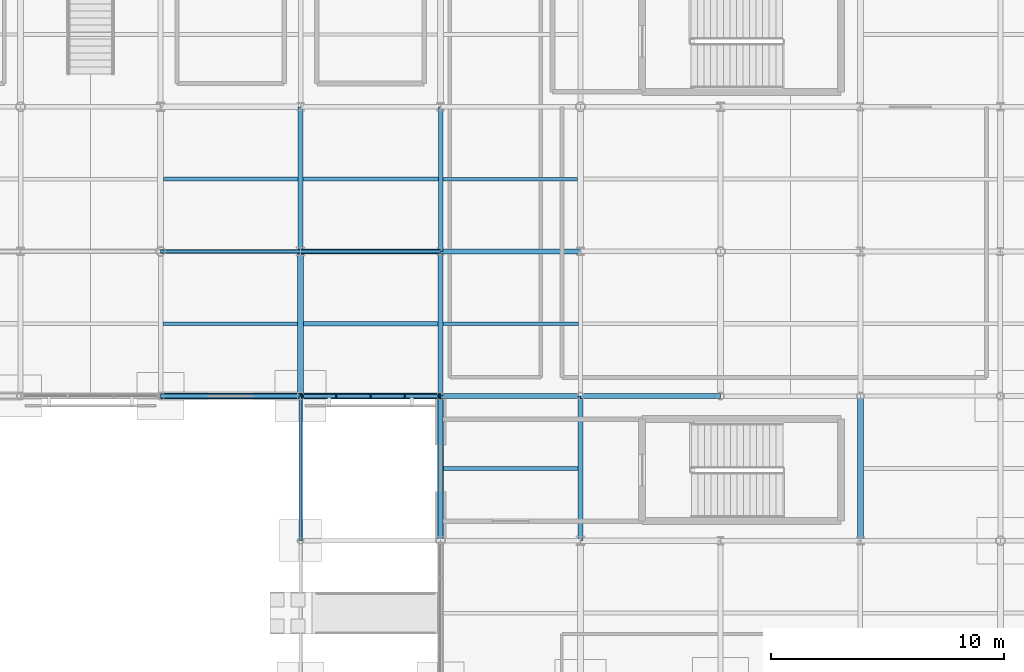
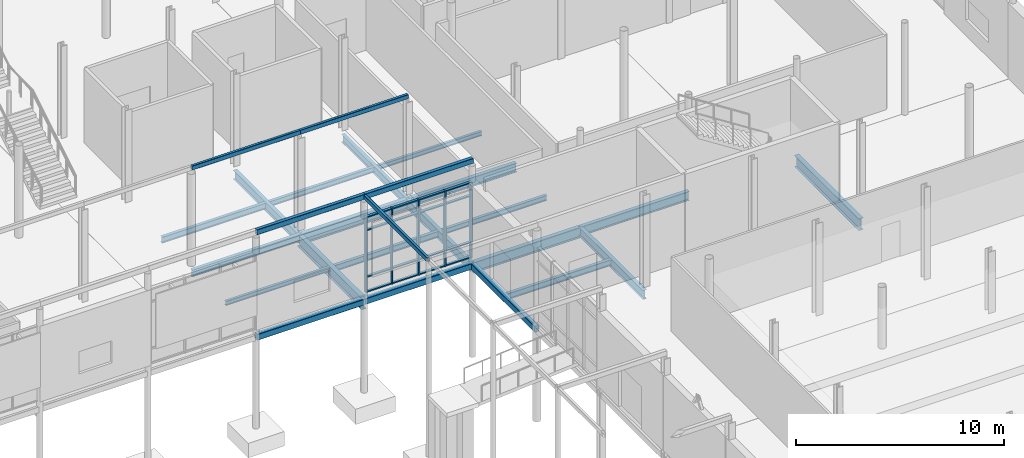
# One storey, part 51 of 98: 26 beams, 21 members, 1 element without a shape of its own.
"""IFC4 building model written with IfcOpenShell, lengths in metres."""

import ifcopenshell
import ifcopenshell.guid

model = None  # the IFC model being written
_history = None  # IfcOwnerHistory: only IFC2X3 demands one
_inside = {}  # id of a spatial element -> (the spatial element, [elements in it])
_under = {}  # id of a project, library or spatial element -> (it, [spatial elements below it])
_declared = {}  # id of a project -> (the project, [libraries it declares])
_typed = {}  # id of a type object -> (the type object, [elements of that type])
_made_of = {}  # id of a material, layer set ... -> (it, [elements and type objects made of it])


def new_model(schema):
    """Start an empty IFC model of exactly this schema.

    Asked for "IFC4X3", IfcOpenShell would pick the latest addendum, in which some entities
    have other attributes; the version numbers below select the first issue.
    IFC2X3 requires an IfcOwnerHistory on every rooted entity: one is made here for all.
    """
    global model, _history
    if schema == "IFC4X3":
        model = ifcopenshell.file(schema_version=(4, 3, 0, 0))
    else:
        model = ifcopenshell.file(schema=schema)
    _inside.clear()
    _under.clear()
    _declared.clear()
    _typed.clear()
    _made_of.clear()
    _history = None
    if model.schema == "IFC2X3":
        org = make("IfcOrganization", Name="unknown")
        user = make(
            "IfcPersonAndOrganization",
            ThePerson=make("IfcPerson", FamilyName="unknown"),
            TheOrganization=org,
        )
        app = make(
            "IfcApplication",
            ApplicationDeveloper=org,
            Version="unknown",
            ApplicationFullName="unknown",
            ApplicationIdentifier="unknown",
        )
        _history = make(
            "IfcOwnerHistory",
            OwningUser=user,
            OwningApplication=app,
            ChangeAction="ADDED",
            CreationDate=0,
        )
    return model


def make(cls, **values):
    """One entity of the class cls with the attributes given. An attribute that is None is left unset."""
    return model.create_entity(
        cls, **{name: value for name, value in values.items() if value is not None}
    )


def rooted(cls, **values):
    """An entity with a GlobalId (a new one), such as an element, a storey or a relation."""
    return make(cls, GlobalId=ifcopenshell.guid.new(), OwnerHistory=_history, **values)


def si_unit(unit_type, name, prefix=None):
    """IfcSIUnit, for example si_unit("LENGTHUNIT", "METRE", prefix="MILLI")."""
    return make("IfcSIUnit", UnitType=unit_type, Prefix=prefix, Name=name)


def assignment(units):
    """IfcUnitAssignment: the units of a project."""
    return None if units is None else make("IfcUnitAssignment", Units=units)


def point(xyz):
    """IfcCartesianPoint."""
    return None if xyz is None else make("IfcCartesianPoint", Coordinates=xyz)


def direction(xyz):
    """IfcDirection."""
    return None if xyz is None else make("IfcDirection", DirectionRatios=xyz)


def frame(location, z_axis=None, x_axis=None):
    """IfcAxis2Placement3D, a coordinate frame: its origin and axes. An axis left out is left unset."""
    return make(
        "IfcAxis2Placement3D",
        Location=point(location),
        Axis=direction(z_axis),
        RefDirection=direction(x_axis),
    )


def frame_2d(location, x_axis=None):
    """IfcAxis2Placement2D, a coordinate frame in the plane: its origin and x axis."""
    return make(
        "IfcAxis2Placement2D", Location=point(location), RefDirection=direction(x_axis)
    )


def origin():
    """The frame at (0, 0, 0) with its axes left unset."""
    return frame((0.0, 0.0, 0.0))


def origin_2d():
    """The frame at (0, 0) in the plane with its x axis left unset."""
    return frame_2d((0.0, 0.0))


def place(relative_to, where):
    """IfcLocalPlacement: puts the frame where relative to a parent placement (None: the world)."""
    return make(
        "IfcLocalPlacement", PlacementRelTo=relative_to, RelativePlacement=where
    )


def context(
    kind, dimensions, precision=None, world=None, true_north=None, identifier=None
):
    """IfcGeometricRepresentationContext, for example the 3D "Model" context."""
    return make(
        "IfcGeometricRepresentationContext",
        ContextIdentifier=identifier,
        ContextType=kind,
        CoordinateSpaceDimension=dimensions,
        Precision=precision,
        WorldCoordinateSystem=world,
        TrueNorth=true_north,
    )


def subcontext(parent, identifier, kind, view, scale=None):
    """IfcGeometricRepresentationSubContext, for example "Body" below "Model"."""
    return make(
        "IfcGeometricRepresentationSubContext",
        ContextIdentifier=identifier,
        ContextType=kind,
        ParentContext=parent,
        TargetScale=scale,
        TargetView=view,
    )


def project(units=None, contexts=None):
    """IfcProject with its units and contexts."""
    return rooted(
        "IfcProject",
        Name="project",
        RepresentationContexts=contexts,
        UnitsInContext=assignment(units),
    )


def spatial(cls, under=None, at=None, **own):
    """A site, building, storey or space (cls), placed at a placement, below another one or the project."""
    s = rooted(cls, ObjectPlacement=at, **own)
    if under is not None:
        _under.setdefault(under.id(), (under, []))[1].append(s)
    return s


def profile(cls, at=None, kind="AREA", **sizes):
    """A parametric profile (cls). Its sizes go by their IFC names, for example OverallWidth=200.0."""
    return make(cls, ProfileType=kind, Position=at, **sizes)


def rectangle(**sizes):
    """IfcRectangleProfileDef."""
    return profile("IfcRectangleProfileDef", **sizes)


def hollow_rectangle(**sizes):
    """IfcRectangleHollowProfileDef."""
    return profile("IfcRectangleHollowProfileDef", **sizes)


def i_section(**sizes):
    """IfcIShapeProfileDef."""
    return profile("IfcIShapeProfileDef", **sizes)


def extrude(swept, where, along, depth):
    """IfcExtrudedAreaSolid: the profile swept, set in the frame where, extruded along a direction by depth."""
    return make(
        "IfcExtrudedAreaSolid",
        SweptArea=swept,
        Position=where,
        ExtrudedDirection=direction(along),
        Depth=depth,
    )


def shape(context_of_items, identifier, shape_type, items):
    """IfcShapeRepresentation: the items that make up one representation, for example the "Body"."""
    return make(
        "IfcShapeRepresentation",
        ContextOfItems=context_of_items,
        RepresentationIdentifier=identifier,
        RepresentationType=shape_type,
        Items=items,
    )


def material(Name=None, Category=None):
    """IfcMaterial."""
    return make("IfcMaterial", Name=Name, Category=Category)


def layer(
    of_material, thickness, ventilated=None, Name=None, Category=None, Priority=None
):
    """IfcMaterialLayer: one layer of a wall or slab, of a material (None: an air gap)."""
    return make(
        "IfcMaterialLayer",
        Material=of_material,
        LayerThickness=thickness,
        IsVentilated=ventilated,
        Name=Name,
        Category=Category,
        Priority=Priority,
    )


def layer_set(layers, Name=None):
    """IfcMaterialLayerSet."""
    return make("IfcMaterialLayerSet", MaterialLayers=layers, LayerSetName=Name)


def material_profile(
    of_material, cross_section, Name=None, Category=None, Priority=None
):
    """IfcMaterialProfile: a cross section and its material."""
    return make(
        "IfcMaterialProfile",
        Name=Name,
        Material=of_material,
        Profile=cross_section,
        Priority=Priority,
        Category=Category,
    )


def profile_set(profiles, Name=None, composite=None):
    """IfcMaterialProfileSet."""
    return make(
        "IfcMaterialProfileSet",
        Name=Name,
        MaterialProfiles=profiles,
        CompositeProfile=composite,
    )


def made_of(thing, what):
    """Note that an element or type object is made of a material, layer set ...; save() writes the relation."""
    if what is not None:
        _made_of.setdefault(what.id(), (what, []))[1].append(thing)
    return thing


def type_object(cls, material=None, **own):
    """A type object (cls), such as IfcWallType, which elements share."""
    return made_of(rooted(cls, **own), material)


def element(
    cls,
    number,
    at=None,
    inside=None,
    cuts=None,
    type_object=None,
    material=None,
    context=None,
    identifier="Body",
    shape_type=None,
    held_by="IfcProductDefinitionShape",
    body=None,
    shapes=None,
    **own,
):
    """One element of the class cls, such as IfcWall. Its Tag is "e" and its number.

    at: its placement. inside: the storey or other place that contains it. cuts: it is an
    opening in that element (IfcRelVoidsElement). A single representation is given by context,
    identifier, shape_type and body (its items); several are given by shapes. held_by: the class
    of the entity that holds the representations. save() writes the other relations.
    """
    e = rooted(cls, Tag="e%d" % number, ObjectPlacement=at, **own)
    if body is not None:
        shapes = [shape(context, identifier, shape_type, body)]
    if shapes is not None:
        e.Representation = make(held_by, Representations=shapes)
    if inside is not None:
        _inside.setdefault(inside.id(), (inside, []))[1].append(e)
    if cuts is not None:
        rooted(
            "IfcRelVoidsElement", RelatingBuildingElement=cuts, RelatedOpeningElement=e
        )
    if type_object is not None:
        _typed.setdefault(type_object.id(), (type_object, []))[1].append(e)
    return made_of(e, material)


def aggregate(whole, parts):
    """IfcRelAggregates: a whole, such as a stair, and the parts it consists of."""
    return rooted("IfcRelAggregates", RelatingObject=whole, RelatedObjects=parts)


def save(model, path):
    """Write the relations noted so far, then the file.

    IfcRelAggregates (storeys below a building ...), IfcRelContainedInSpatialStructure (elements
    in a storey), IfcRelDefinesByType, IfcRelAssociatesMaterial and IfcRelDeclares: one each for
    every whole, place, type object, material and project.
    """
    for whole, parts in _under.values():
        aggregate(whole, parts)
    for where, things in _inside.values():
        rooted(
            "IfcRelContainedInSpatialStructure",
            RelatedElements=things,
            RelatingStructure=where,
        )
    for kind, things in _typed.values():
        rooted("IfcRelDefinesByType", RelatedObjects=things, RelatingType=kind)
    for what, things in _made_of.values():
        rooted("IfcRelAssociatesMaterial", RelatedObjects=things, RelatingMaterial=what)
    for by, libraries in _declared.values():
        rooted("IfcRelDeclares", RelatingContext=by, RelatedDefinitions=libraries)
    model.write(path)


model = new_model("IFC4")

# Units and contexts
model_context = context("Model", 3, precision=1e-05, world=origin(), true_north=direction((0.0, 1.0)))
body_context = subcontext(model_context, "Body", "Model", "MODEL_VIEW")
ifc_project = project(units=[si_unit("LENGTHUNIT", "METRE"), si_unit("AREAUNIT", "SQUARE_METRE"), si_unit("VOLUMEUNIT", "CUBIC_METRE"), si_unit("PLANEANGLEUNIT", "RADIAN"), si_unit("MASSUNIT", "GRAM", prefix="KILO")], contexts=[model_context])

# Site, building, storey
site_placement = place(None, origin())
site = spatial("IfcSite", under=ifc_project, at=site_placement, CompositionType="ELEMENT")
building_placement = place(site_placement, origin())
building = spatial("IfcBuilding", under=site, at=building_placement, Name="Mirzam Square Science Centre", CompositionType="ELEMENT")
storey_placement = place(building_placement, origin())
storey = spatial("IfcBuildingStorey", under=building, at=storey_placement, Name="L00", CompositionType="ELEMENT", Elevation=0.0)

# Beams
ifc_material_1 = material(Name="Steel S355", Category="steel")
ifc_material_profile_1 = material_profile(ifc_material_1, i_section(OverallWidth=0.1787109375, OverallDepth=0.409423828125, WebThickness=0.0087890625, FlangeThickness=0.014404296875, FilletRadius=0.01025390625, at=origin_2d()), Name="406x178x67UB")
ifc_profile_set_1 = profile_set([ifc_material_profile_1], Name="Steel S355")
beam_type_1 = type_object("IfcBeamType", Name="BM-UB406", PredefinedType="BEAM", material=ifc_profile_set_1)
beam_1_placement = place(storey_placement, frame((120.0, 43.39990234375, -0.504638671875), z_axis=(1.0, 0.0, 0.0), x_axis=(0.0, 1.0, 0.0)))
element("IfcBeam", 1, at=beam_1_placement, inside=storey, type_object=beam_type_1, Name="L00 girder X21-8", PredefinedType="BEAM", context=body_context, shape_type="SweptSolid", body=[
    extrude(i_section(OverallWidth=0.1787109375, OverallDepth=0.409423828125, WebThickness=0.0087890625, FlangeThickness=0.014404296875, FilletRadius=0.01025390625, at=origin_2d()), origin(), (0.0, 0.0, 1.0), 6.0),
])
ifc_material_profile_2 = material_profile(ifc_material_1, i_section(OverallWidth=0.19140625, OverallDepth=0.4599609375, WebThickness=0.010009765625, FlangeThickness=0.01611328125, FilletRadius=0.01025390625, at=origin_2d()), Name="457x191x82UB")
ifc_profile_set_2 = profile_set([ifc_material_profile_2], Name="Steel S355")
beam_type_2 = type_object("IfcBeamType", Name="BM-UB457", PredefinedType="BEAM", material=ifc_profile_set_2)
beam_2_placement = place(storey_placement, frame((132.0, 43.39990234375, -0.530029296875), z_axis=(0.0, 1.0, 0.0), x_axis=(-1.0, 0.0, 0.0)))
element("IfcBeam", 2, at=beam_2_placement, inside=storey, type_object=beam_type_2, Name="L00 girder Y23-8", PredefinedType="BEAM", context=body_context, shape_type="SweptSolid", body=[
    extrude(i_section(OverallWidth=0.19140625, OverallDepth=0.4599609375, WebThickness=0.010009765625, FlangeThickness=0.01611328125, FilletRadius=0.01025390625, at=origin_2d()), origin(), (0.0, 0.0, 1.0), 6.2001953125),
])
ifc_material_profile_3 = material_profile(ifc_material_1, i_section(OverallWidth=0.2099609375, OverallDepth=0.53662109375, WebThickness=0.0107421875, FlangeThickness=0.017333984375, FilletRadius=0.0126953125, at=origin_2d()), Name="533x210x101UB")
ifc_profile_set_3 = profile_set([ifc_material_profile_3], Name="Steel S355")
beam_type_3 = type_object("IfcBeamType", Name="BM-UB533", PredefinedType="BEAM", material=ifc_profile_set_3)
for number, where, z_axis, x_axis, name in (
    (3, (138.0, 37.199951171875, -0.568359375), (1.0, 0.0, 0.0), (0.0, 1.0, 0.0), "L00 girder X24-7"),
    (4, (132.0, 43.39990234375, -0.568359375), (1.0, 0.0, 0.0), (0.0, 1.0, 0.0), "L00 girder X23-8"),
):
    element("IfcBeam", number, at=place(storey_placement, frame(where, z_axis=z_axis, x_axis=x_axis)), inside=storey, type_object=beam_type_3, Name=name, PredefinedType="BEAM", context=body_context, shape_type="SweptSolid", body=[
        extrude(i_section(OverallWidth=0.2099609375, OverallDepth=0.53662109375, WebThickness=0.0107421875, FlangeThickness=0.017333984375, FilletRadius=0.0126953125, at=origin_2d()), origin(), (0.0, 0.0, 1.0), 6.0),
    ])
beam_3_placement = place(storey_placement, frame((126.0, 43.39990234375, -0.568359375), z_axis=(0.0, 1.0, 0.0), x_axis=(-1.0, 0.0, 0.0)))
element("IfcBeam", 5, at=beam_3_placement, inside=storey, type_object=beam_type_3, Name="L00 girder Y22-8", PredefinedType="BEAM", context=body_context, shape_type="SweptSolid", body=[
    extrude(i_section(OverallWidth=0.2099609375, OverallDepth=0.53662109375, WebThickness=0.0107421875, FlangeThickness=0.017333984375, FilletRadius=0.0126953125, at=origin_2d()), origin(), (0.0, 0.0, 1.0), 6.2001953125),
])
for number, where, z_axis, x_axis, name in (
    (6, (132.0, 37.199951171875, -0.568359375), (0.0, 1.0, 0.0), (-1.0, 0.0, 0.0), "L00 girder Y23-7"),
    (7, (138.0, 31.0, -0.568359375), (0.0, 1.0, 0.0), (-1.0, 0.0, 0.0), "L00 girder Y24-6"),
):
    element("IfcBeam", number, at=place(storey_placement, frame(where, z_axis=z_axis, x_axis=x_axis)), inside=storey, type_object=beam_type_3, Name=name, PredefinedType="BEAM", context=body_context, shape_type="SweptSolid", body=[
        extrude(i_section(OverallWidth=0.2099609375, OverallDepth=0.53662109375, WebThickness=0.0107421875, FlangeThickness=0.017333984375, FilletRadius=0.0126953125, at=origin_2d()), origin(), (0.0, 0.0, 1.0), 6.199951171875),
    ])
ifc_material_profile_4 = material_profile(ifc_material_1, i_section(OverallWidth=0.22900390625, OverallDepth=0.6123046875, WebThickness=0.011962890625, FlangeThickness=0.01953125, FilletRadius=0.0126953125, at=origin_2d()), Name="610x229x125UB")
ifc_profile_set_4 = profile_set([ifc_material_profile_4], Name="Steel S355")
beam_type_4 = type_object("IfcBeamType", Name="BM-UB610", PredefinedType="BEAM", material=ifc_profile_set_4)
for number, where, z_axis, x_axis, name in (
    (8, (132.0, 37.199951171875, -0.606201171875), (1.0, 0.0, 0.0), (0.0, 1.0, 0.0), "L00 girder X23-7"),
    (9, (126.0, 43.39990234375, -0.606201171875), (1.0, 0.0, 0.0), (0.0, 1.0, 0.0), "L00 girder X22-8"),
):
    element("IfcBeam", number, at=place(storey_placement, frame(where, z_axis=z_axis, x_axis=x_axis)), inside=storey, type_object=beam_type_4, Name=name, PredefinedType="BEAM", context=body_context, shape_type="SweptSolid", body=[
        extrude(i_section(OverallWidth=0.22900390625, OverallDepth=0.6123046875, WebThickness=0.011962890625, FlangeThickness=0.01953125, FilletRadius=0.0126953125, at=origin_2d()), origin(), (0.0, 0.0, 1.0), 6.0),
    ])
ifc_material_profile_5 = material_profile(ifc_material_1, i_section(OverallWidth=0.25439453125, OverallDepth=0.6875, WebThickness=0.01318359375, FlangeThickness=0.02099609375, FilletRadius=0.01513671875, at=origin_2d()), Name="686x254x152UB")
ifc_profile_set_5 = profile_set([ifc_material_profile_5], Name="Steel S355")
beam_type_5 = type_object("IfcBeamType", Name="BM-UB686", PredefinedType="BEAM", material=ifc_profile_set_5)
for number, where, z_axis, x_axis, name in (
    (10, (126.0, 37.199951171875, -0.643798828125), (0.0, 1.0, 0.0), (-1.0, 0.0, 0.0), "L00 girder Y22-7"),
    (11, (150.0, 31.0, -0.643798828125), (0.0, 1.0, 0.0), (-1.0, 0.0, 0.0), "L00 girder Y26-6"),
):
    element("IfcBeam", number, at=place(storey_placement, frame(where, z_axis=z_axis, x_axis=x_axis)), inside=storey, type_object=beam_type_5, Name=name, PredefinedType="BEAM", context=body_context, shape_type="SweptSolid", body=[
        extrude(i_section(OverallWidth=0.25439453125, OverallDepth=0.6875, WebThickness=0.01318359375, FlangeThickness=0.02099609375, FilletRadius=0.01513671875, at=origin_2d()), origin(), (0.0, 0.0, 1.0), 6.199951171875),
    ])

# Curtain wall, members
ifc_material_2 = material(Name="Anodised Aluminium and Low-E Solar Glass", Category="aluminium")
ifc_layer = layer(ifc_material_2, 0.179931640625)
ifc_layer_set = layer_set([ifc_layer], Name="CW-LINK-A")
curtain_wall_type = type_object("IfcCurtainWallType", Name="CW-LINK-A", PredefinedType="USERDEFINED", material=ifc_layer_set)
curtain_wall_placement = place(storey_placement, origin())
curtain_wall = element("IfcCurtainWall", 12, at=curtain_wall_placement, inside=storey, type_object=curtain_wall_type, Name="L00 unitised curtain wall 66", ObjectType="UNITISED CURTAIN WALL", PredefinedType="USERDEFINED")
ifc_material_3 = material(Name="Anodised Architectural Aluminium 6063-T6", Category="aluminium")
ifc_material_profile_6 = material_profile(ifc_material_3, rectangle(XDim=0.06494140625, YDim=0.199951171875, at=origin_2d()), Name="ALU-MULL-200x65x5")
ifc_profile_set_6 = profile_set([ifc_material_profile_6], Name="Anodised Architectural Aluminium 6063-T6")
member_type_1 = type_object("IfcMemberType", Name="CWM-200", PredefinedType="MULLION", material=ifc_profile_set_6)
member_1_placement = place(storey_placement, frame((126.08740234375, 37.199951171875, 0.0), z_axis=(0.0, 0.0, 1.0), x_axis=(1.0, 0.0, 0.0)))
member_1 = element("IfcMember", 13, at=member_1_placement, type_object=member_type_1, Name="CW-08 mullion 1", PredefinedType="MULLION", context=body_context, shape_type="SweptSolid", body=[
    extrude(rectangle(XDim=0.06494140625, YDim=0.199951171875, at=origin_2d()), origin(), (0.0, 0.0, 1.0), 4.43994140625),
])
member_2_placement = place(storey_placement, frame((127.527587890625, 37.199951171875, 0.0), z_axis=(0.0, 0.0, 1.0), x_axis=(1.0, 0.0, 0.0)))
member_2 = element("IfcMember", 14, at=member_2_placement, type_object=member_type_1, Name="CW-08 mullion 2", PredefinedType="MULLION", context=body_context, shape_type="SweptSolid", body=[
    extrude(rectangle(XDim=0.06494140625, YDim=0.199951171875, at=origin_2d()), origin(), (0.0, 0.0, 1.0), 4.43994140625),
])
member_3_placement = place(storey_placement, frame((129.0, 37.199951171875, 0.0), z_axis=(0.0, 0.0, 1.0), x_axis=(1.0, 0.0, 0.0)))
member_3 = element("IfcMember", 15, at=member_3_placement, type_object=member_type_1, Name="CW-08 mullion 3", PredefinedType="MULLION", context=body_context, shape_type="SweptSolid", body=[
    extrude(rectangle(XDim=0.06494140625, YDim=0.199951171875, at=origin_2d()), origin(), (0.0, 0.0, 1.0), 4.43994140625),
])
member_4_placement = place(storey_placement, frame((130.472412109375, 37.199951171875, 0.0), z_axis=(0.0, 0.0, 1.0), x_axis=(1.0, 0.0, 0.0)))
member_4 = element("IfcMember", 16, at=member_4_placement, type_object=member_type_1, Name="CW-08 mullion 4", PredefinedType="MULLION", context=body_context, shape_type="SweptSolid", body=[
    extrude(rectangle(XDim=0.06494140625, YDim=0.199951171875, at=origin_2d()), origin(), (0.0, 0.0, 1.0), 4.43994140625),
])
member_5_placement = place(storey_placement, frame((131.91259765625, 37.199951171875, 0.0), z_axis=(0.0, 0.0, 1.0), x_axis=(1.0, 0.0, 0.0)))
member_5 = element("IfcMember", 17, at=member_5_placement, type_object=member_type_1, Name="CW-08 mullion 5", PredefinedType="MULLION", context=body_context, shape_type="SweptSolid", body=[
    extrude(rectangle(XDim=0.06494140625, YDim=0.199951171875, at=origin_2d()), origin(), (0.0, 0.0, 1.0), 4.43994140625),
])
ifc_material_profile_7 = material_profile(ifc_material_3, rectangle(XDim=0.14990234375, YDim=0.06494140625, at=origin_2d()), Name="ALU-TRAN-150x65x4")
ifc_profile_set_7 = profile_set([ifc_material_profile_7], Name="Anodised Architectural Aluminium 6063-T6")
member_type_2 = type_object("IfcMemberType", Name="CWT-150", PredefinedType="USERDEFINED", material=ifc_profile_set_7)
member_6_placement = place(storey_placement, frame((126.1201171875, 37.199951171875, 0.032470703125), z_axis=(1.0, 0.0, 0.0), x_axis=(0.0, 1.0, 0.0)))
member_6 = element("IfcMember", 18, at=member_6_placement, type_object=member_type_2, Name="CW-08 transom 1.1", ObjectType="TRANSOM", PredefinedType="USERDEFINED", context=body_context, shape_type="SweptSolid", body=[
    extrude(rectangle(XDim=0.14990234375, YDim=0.06494140625, at=origin_2d()), origin(), (0.0, 0.0, 1.0), 1.375),
])
member_7_placement = place(storey_placement, frame((126.1201171875, 37.199951171875, 0.89990234375), z_axis=(1.0, 0.0, 0.0), x_axis=(0.0, 1.0, 0.0)))
member_7 = element("IfcMember", 19, at=member_7_placement, type_object=member_type_2, Name="CW-08 transom 1.2", ObjectType="TRANSOM", PredefinedType="USERDEFINED", context=body_context, shape_type="SweptSolid", body=[
    extrude(rectangle(XDim=0.14990234375, YDim=0.06494140625, at=origin_2d()), origin(), (0.0, 0.0, 1.0), 1.375),
])
member_8_placement = place(storey_placement, frame((126.1201171875, 37.199951171875, 3.639892578125), z_axis=(1.0, 0.0, 0.0), x_axis=(0.0, 1.0, 0.0)))
member_8 = element("IfcMember", 20, at=member_8_placement, type_object=member_type_2, Name="CW-08 transom 1.3", ObjectType="TRANSOM", PredefinedType="USERDEFINED", context=body_context, shape_type="SweptSolid", body=[
    extrude(rectangle(XDim=0.14990234375, YDim=0.06494140625, at=origin_2d()), origin(), (0.0, 0.0, 1.0), 1.375),
])
member_9_placement = place(storey_placement, frame((126.1201171875, 37.199951171875, 4.407470703125), z_axis=(1.0, 0.0, 0.0), x_axis=(0.0, 1.0, 0.0)))
member_9 = element("IfcMember", 21, at=member_9_placement, type_object=member_type_2, Name="CW-08 transom 1.4", ObjectType="TRANSOM", PredefinedType="USERDEFINED", context=body_context, shape_type="SweptSolid", body=[
    extrude(rectangle(XDim=0.14990234375, YDim=0.06494140625, at=origin_2d()), origin(), (0.0, 0.0, 1.0), 1.375),
])
member_10_placement = place(storey_placement, frame((127.56005859375, 37.199951171875, 0.032470703125), z_axis=(1.0, 0.0, 0.0), x_axis=(0.0, 1.0, 0.0)))
member_10 = element("IfcMember", 22, at=member_10_placement, type_object=member_type_2, Name="CW-08 transom 2.1", ObjectType="TRANSOM", PredefinedType="USERDEFINED", context=body_context, shape_type="SweptSolid", body=[
    extrude(rectangle(XDim=0.14990234375, YDim=0.06494140625, at=origin_2d()), origin(), (0.0, 0.0, 1.0), 1.407470703125),
])
member_11_placement = place(storey_placement, frame((127.56005859375, 37.199951171875, 0.89990234375), z_axis=(1.0, 0.0, 0.0), x_axis=(0.0, 1.0, 0.0)))
member_11 = element("IfcMember", 23, at=member_11_placement, type_object=member_type_2, Name="CW-08 transom 2.2", ObjectType="TRANSOM", PredefinedType="USERDEFINED", context=body_context, shape_type="SweptSolid", body=[
    extrude(rectangle(XDim=0.14990234375, YDim=0.06494140625, at=origin_2d()), origin(), (0.0, 0.0, 1.0), 1.407470703125),
])
member_12_placement = place(storey_placement, frame((127.56005859375, 37.199951171875, 3.639892578125), z_axis=(1.0, 0.0, 0.0), x_axis=(0.0, 1.0, 0.0)))
member_12 = element("IfcMember", 24, at=member_12_placement, type_object=member_type_2, Name="CW-08 transom 2.3", ObjectType="TRANSOM", PredefinedType="USERDEFINED", context=body_context, shape_type="SweptSolid", body=[
    extrude(rectangle(XDim=0.14990234375, YDim=0.06494140625, at=origin_2d()), origin(), (0.0, 0.0, 1.0), 1.407470703125),
])
member_13_placement = place(storey_placement, frame((127.56005859375, 37.199951171875, 4.407470703125), z_axis=(1.0, 0.0, 0.0), x_axis=(0.0, 1.0, 0.0)))
member_13 = element("IfcMember", 25, at=member_13_placement, type_object=member_type_2, Name="CW-08 transom 2.4", ObjectType="TRANSOM", PredefinedType="USERDEFINED", context=body_context, shape_type="SweptSolid", body=[
    extrude(rectangle(XDim=0.14990234375, YDim=0.06494140625, at=origin_2d()), origin(), (0.0, 0.0, 1.0), 1.407470703125),
])
member_14_placement = place(storey_placement, frame((129.032470703125, 37.199951171875, 0.032470703125), z_axis=(1.0, 0.0, 0.0), x_axis=(0.0, 1.0, 0.0)))
member_14 = element("IfcMember", 26, at=member_14_placement, type_object=member_type_2, Name="CW-08 transom 3.1", ObjectType="TRANSOM", PredefinedType="USERDEFINED", context=body_context, shape_type="SweptSolid", body=[
    extrude(rectangle(XDim=0.14990234375, YDim=0.06494140625, at=origin_2d()), origin(), (0.0, 0.0, 1.0), 1.407470703125),
])
member_15_placement = place(storey_placement, frame((129.032470703125, 37.199951171875, 0.89990234375), z_axis=(1.0, 0.0, 0.0), x_axis=(0.0, 1.0, 0.0)))
member_15 = element("IfcMember", 27, at=member_15_placement, type_object=member_type_2, Name="CW-08 transom 3.2", ObjectType="TRANSOM", PredefinedType="USERDEFINED", context=body_context, shape_type="SweptSolid", body=[
    extrude(rectangle(XDim=0.14990234375, YDim=0.06494140625, at=origin_2d()), origin(), (0.0, 0.0, 1.0), 1.407470703125),
])
member_16_placement = place(storey_placement, frame((129.032470703125, 37.199951171875, 3.639892578125), z_axis=(1.0, 0.0, 0.0), x_axis=(0.0, 1.0, 0.0)))
member_16 = element("IfcMember", 28, at=member_16_placement, type_object=member_type_2, Name="CW-08 transom 3.3", ObjectType="TRANSOM", PredefinedType="USERDEFINED", context=body_context, shape_type="SweptSolid", body=[
    extrude(rectangle(XDim=0.14990234375, YDim=0.06494140625, at=origin_2d()), origin(), (0.0, 0.0, 1.0), 1.407470703125),
])
member_17_placement = place(storey_placement, frame((129.032470703125, 37.199951171875, 4.407470703125), z_axis=(1.0, 0.0, 0.0), x_axis=(0.0, 1.0, 0.0)))
member_17 = element("IfcMember", 29, at=member_17_placement, type_object=member_type_2, Name="CW-08 transom 3.4", ObjectType="TRANSOM", PredefinedType="USERDEFINED", context=body_context, shape_type="SweptSolid", body=[
    extrude(rectangle(XDim=0.14990234375, YDim=0.06494140625, at=origin_2d()), origin(), (0.0, 0.0, 1.0), 1.407470703125),
])
member_18_placement = place(storey_placement, frame((130.5048828125, 37.199951171875, 0.032470703125), z_axis=(1.0, 0.0, 0.0), x_axis=(0.0, 1.0, 0.0)))
member_18 = element("IfcMember", 30, at=member_18_placement, type_object=member_type_2, Name="CW-08 transom 4.1", ObjectType="TRANSOM", PredefinedType="USERDEFINED", context=body_context, shape_type="SweptSolid", body=[
    extrude(rectangle(XDim=0.14990234375, YDim=0.06494140625, at=origin_2d()), origin(), (0.0, 0.0, 1.0), 1.375),
])
member_19_placement = place(storey_placement, frame((130.5048828125, 37.199951171875, 0.89990234375), z_axis=(1.0, 0.0, 0.0), x_axis=(0.0, 1.0, 0.0)))
member_19 = element("IfcMember", 31, at=member_19_placement, type_object=member_type_2, Name="CW-08 transom 4.2", ObjectType="TRANSOM", PredefinedType="USERDEFINED", context=body_context, shape_type="SweptSolid", body=[
    extrude(rectangle(XDim=0.14990234375, YDim=0.06494140625, at=origin_2d()), origin(), (0.0, 0.0, 1.0), 1.375),
])
member_20_placement = place(storey_placement, frame((130.5048828125, 37.199951171875, 3.639892578125), z_axis=(1.0, 0.0, 0.0), x_axis=(0.0, 1.0, 0.0)))
member_20 = element("IfcMember", 32, at=member_20_placement, type_object=member_type_2, Name="CW-08 transom 4.3", ObjectType="TRANSOM", PredefinedType="USERDEFINED", context=body_context, shape_type="SweptSolid", body=[
    extrude(rectangle(XDim=0.14990234375, YDim=0.06494140625, at=origin_2d()), origin(), (0.0, 0.0, 1.0), 1.375),
])
member_21_placement = place(storey_placement, frame((130.5048828125, 37.199951171875, 4.407470703125), z_axis=(1.0, 0.0, 0.0), x_axis=(0.0, 1.0, 0.0)))
member_21 = element("IfcMember", 33, at=member_21_placement, type_object=member_type_2, Name="CW-08 transom 4.4", ObjectType="TRANSOM", PredefinedType="USERDEFINED", context=body_context, shape_type="SweptSolid", body=[
    extrude(rectangle(XDim=0.14990234375, YDim=0.06494140625, at=origin_2d()), origin(), (0.0, 0.0, 1.0), 1.375),
])
aggregate(curtain_wall, [member_1, member_2, member_3, member_4, member_5, member_6, member_7, member_8, member_9, member_10, member_11, member_12, member_13, member_14, member_15, member_16, member_17, member_18, member_19, member_20, member_21])

# Beams
ifc_material_profile_8 = material_profile(ifc_material_1, i_section(OverallWidth=0.146484375, OverallDepth=0.256103515625, WebThickness=0.00634765625, FlangeThickness=0.010986328125, FilletRadius=0.007568359375, at=origin_2d()), Name="254x146x37UB")
ifc_profile_set_8 = profile_set([ifc_material_profile_8], Name="Steel S355")
beam_type_6 = type_object("IfcBeamType", Name="JS-UB254", PredefinedType="JOIST", material=ifc_profile_set_8)
for number, where, z_axis, x_axis, name in (
    (34, (120.095703125, 40.300048828125, -0.427978515625), (1.0, 0.0, 0.0), (0.0, 1.0, 0.0), "L00 composite joist 21-7"),
    (35, (132.095703125, 46.5, -0.427978515625), (1.0, 0.0, 0.0), (0.0, 1.0, 0.0), "L00 composite joist 23-8"),
):
    element("IfcBeam", number, at=place(storey_placement, frame(where, z_axis=z_axis, x_axis=x_axis)), inside=storey, type_object=beam_type_6, Name=name, PredefinedType="JOIST", context=body_context, shape_type="SweptSolid", body=[
        extrude(i_section(OverallWidth=0.146484375, OverallDepth=0.256103515625, WebThickness=0.00634765625, FlangeThickness=0.010986328125, FilletRadius=0.007568359375, at=origin_2d()), origin(), (0.0, 0.0, 1.0), 5.777099609375),
    ])
ifc_material_profile_9 = material_profile(ifc_material_1, i_section(OverallWidth=0.165771484375, OverallDepth=0.306640625, WebThickness=0.006591796875, FlangeThickness=0.01171875, FilletRadius=0.0087890625, at=origin_2d()), Name="305x165x46UB")
ifc_profile_set_9 = profile_set([ifc_material_profile_9], Name="Steel S355")
beam_type_7 = type_object("IfcBeamType", Name="JS-UB305", PredefinedType="JOIST", material=ifc_profile_set_9)
for number, where, z_axis, x_axis, name in (
    (36, (126.10498046875, 46.5, -0.453369140625), (1.0, 0.0, 0.0), (0.0, 1.0, 0.0), "L00 composite joist 22-8"),
    (37, (132.10498046875, 40.300048828125, -0.453369140625), (1.0, 0.0, 0.0), (0.0, 1.0, 0.0), "L00 composite joist 23-7"),
):
    element("IfcBeam", number, at=place(storey_placement, frame(where, z_axis=z_axis, x_axis=x_axis)), inside=storey, type_object=beam_type_7, Name=name, PredefinedType="JOIST", context=body_context, shape_type="SweptSolid", body=[
        extrude(i_section(OverallWidth=0.165771484375, OverallDepth=0.306640625, WebThickness=0.006591796875, FlangeThickness=0.01171875, FilletRadius=0.0087890625, at=origin_2d()), origin(), (0.0, 0.0, 1.0), 5.79931640625),
    ])
ifc_material_profile_10 = material_profile(ifc_material_1, i_section(OverallWidth=0.172119140625, OverallDepth=0.35791015625, WebThickness=0.008056640625, FlangeThickness=0.012939453125, FilletRadius=0.01025390625, at=origin_2d()), Name="356x171x57UB")
ifc_profile_set_10 = profile_set([ifc_material_profile_10], Name="Steel S355")
beam_type_8 = type_object("IfcBeamType", Name="JS-UB356", PredefinedType="JOIST", material=ifc_profile_set_10)
for number, where, z_axis, x_axis, name in (
    (38, (120.127197265625, 46.5, -0.47900390625), (1.0, 0.0, 0.0), (0.0, 1.0, 0.0), "L00 composite joist 21-8"),
    (39, (126.127197265625, 40.300048828125, -0.47900390625), (1.0, 0.0, 0.0), (0.0, 1.0, 0.0), "L00 composite joist 22-7"),
):
    element("IfcBeam", number, at=place(storey_placement, frame(where, z_axis=z_axis, x_axis=x_axis)), inside=storey, type_object=beam_type_8, Name=name, PredefinedType="JOIST", context=body_context, shape_type="SweptSolid", body=[
        extrude(i_section(OverallWidth=0.172119140625, OverallDepth=0.35791015625, WebThickness=0.008056640625, FlangeThickness=0.012939453125, FilletRadius=0.01025390625, at=origin_2d()), origin(), (0.0, 0.0, 1.0), 5.767822265625),
    ])
beam_4_placement = place(storey_placement, frame((132.125, 34.10009765625, -0.47900390625), z_axis=(1.0, 0.0, 0.0), x_axis=(0.0, 1.0, 0.0)))
element("IfcBeam", 40, at=beam_4_placement, inside=storey, type_object=beam_type_8, Name="L00 composite joist 23-6", PredefinedType="JOIST", context=body_context, shape_type="SweptSolid", body=[
    extrude(i_section(OverallWidth=0.172119140625, OverallDepth=0.35791015625, WebThickness=0.008056640625, FlangeThickness=0.012939453125, FilletRadius=0.01025390625, at=origin_2d()), origin(), (0.0, 0.0, 1.0), 5.77001953125),
])
ifc_material_profile_11 = material_profile(ifc_material_1, hollow_rectangle(XDim=0.14990234375, YDim=0.25, WallThickness=0.010009765625, InnerFilletRadius=0.010009765625, OuterFilletRadius=0.02001953125, at=origin_2d()), Name="250x150x10.0RHS")
ifc_profile_set_11 = profile_set([ifc_material_profile_11], Name="Steel S355")
beam_type_9 = type_object("IfcBeamType", Name="SP-RHS250", PredefinedType="SPANDREL", material=ifc_profile_set_11)
beam_5_placement = place(storey_placement, frame((126.0, 31.0, 5.669921875), z_axis=(0.0, 1.0, 0.0), x_axis=(-1.0, 0.0, 0.0)))
element("IfcBeam", 41, at=beam_5_placement, inside=storey, type_object=beam_type_9, Name="EARC colonnade longitudinal beam 6", PredefinedType="SPANDREL", context=body_context, shape_type="SweptSolid", body=[
    extrude(hollow_rectangle(XDim=0.14990234375, YDim=0.25, WallThickness=0.010009765625, InnerFilletRadius=0.010009765625, OuterFilletRadius=0.02001953125, at=origin_2d()), origin(), (0.0, 0.0, 1.0), 6.199951171875),
])
for number, where, z_axis, x_axis, name in (
    (42, (120.0, 43.39990234375, 5.669921875), (1.0, 0.0, 0.0), (0.0, 1.0, 0.0), "Square colonnade outer beam 21"),
    (43, (126.0, 43.39990234375, 5.669921875), (1.0, 0.0, 0.0), (0.0, 1.0, 0.0), "Square colonnade outer beam 22"),
):
    element("IfcBeam", number, at=place(storey_placement, frame(where, z_axis=z_axis, x_axis=x_axis)), inside=storey, type_object=beam_type_9, Name=name, PredefinedType="SPANDREL", context=body_context, shape_type="SweptSolid", body=[
        extrude(hollow_rectangle(XDim=0.14990234375, YDim=0.25, WallThickness=0.010009765625, InnerFilletRadius=0.010009765625, OuterFilletRadius=0.02001953125, at=origin_2d()), origin(), (0.0, 0.0, 1.0), 6.0),
    ])
ifc_material_profile_12 = material_profile(ifc_material_1, hollow_rectangle(XDim=0.199951171875, YDim=0.300048828125, WallThickness=0.010009765625, InnerFilletRadius=0.010009765625, OuterFilletRadius=0.02001953125, at=origin_2d()), Name="300x200x10.0RHS")
ifc_profile_set_12 = profile_set([ifc_material_profile_12], Name="Steel S355")
beam_type_10 = type_object("IfcBeamType", Name="SP-RHS300", PredefinedType="SPANDREL", material=ifc_profile_set_12)
for number, where, z_axis, x_axis, name in (
    (44, (126.0, 37.199951171875, 5.669921875), (1.0, 0.0, 0.0), (0.0, 1.0, 0.0), "EARC colonnade beam 7"),
    (45, (120.0, 37.199951171875, 5.669921875), (1.0, 0.0, 0.0), (0.0, 1.0, 0.0), "Square colonnade beam 21"),
):
    element("IfcBeam", number, at=place(storey_placement, frame(where, z_axis=z_axis, x_axis=x_axis)), inside=storey, type_object=beam_type_10, Name=name, PredefinedType="SPANDREL", context=body_context, shape_type="SweptSolid", body=[
        extrude(hollow_rectangle(XDim=0.199951171875, YDim=0.300048828125, WallThickness=0.010009765625, InnerFilletRadius=0.010009765625, OuterFilletRadius=0.02001953125, at=origin_2d()), origin(), (0.0, 0.0, 1.0), 6.0),
    ])
ifc_material_profile_13 = material_profile(ifc_material_1, hollow_rectangle(XDim=0.25, YDim=0.35009765625, WallThickness=0.012451171875, InnerFilletRadius=0.012451171875, OuterFilletRadius=0.02490234375, at=origin_2d()), Name="350x250x12.5RHS")
ifc_profile_set_13 = profile_set([ifc_material_profile_13], Name="Steel S355")
beam_type_11 = type_object("IfcBeamType", Name="SP-RHS350", PredefinedType="SPANDREL", material=ifc_profile_set_13)
for number, where, z_axis, x_axis, name in (
    (46, (120.0, 37.199951171875, -0.47509765625), (1.0, 0.0, 0.0), (0.0, 1.0, 0.0), "L00 girder X21-7"),
    (47, (126.0, 37.199951171875, -0.47509765625), (1.0, 0.0, 0.0), (0.0, 1.0, 0.0), "L00 girder X22-7"),
):
    element("IfcBeam", number, at=place(storey_placement, frame(where, z_axis=z_axis, x_axis=x_axis)), inside=storey, type_object=beam_type_11, Name=name, PredefinedType="SPANDREL", context=body_context, shape_type="SweptSolid", body=[
        extrude(hollow_rectangle(XDim=0.25, YDim=0.35009765625, WallThickness=0.012451171875, InnerFilletRadius=0.012451171875, OuterFilletRadius=0.02490234375, at=origin_2d()), origin(), (0.0, 0.0, 1.0), 6.0),
    ])
beam_6_placement = place(storey_placement, frame((132.0, 31.0, -0.47509765625), z_axis=(0.0, 1.0, 0.0), x_axis=(-1.0, 0.0, 0.0)))
element("IfcBeam", 48, at=beam_6_placement, inside=storey, type_object=beam_type_11, Name="L00 girder Y23-6", PredefinedType="SPANDREL", context=body_context, shape_type="SweptSolid", body=[
    extrude(hollow_rectangle(XDim=0.25, YDim=0.35009765625, WallThickness=0.012451171875, InnerFilletRadius=0.012451171875, OuterFilletRadius=0.02490234375, at=origin_2d()), origin(), (0.0, 0.0, 1.0), 6.199951171875),
])

save(model, "model.ifc")
